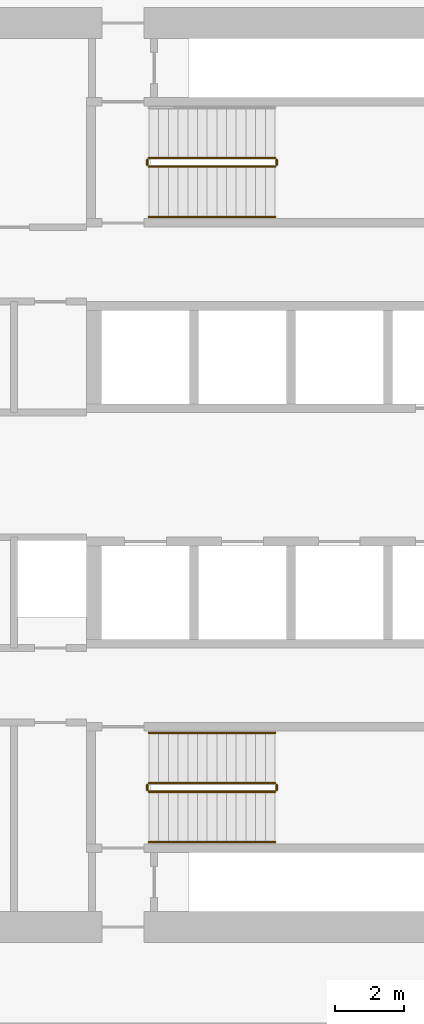
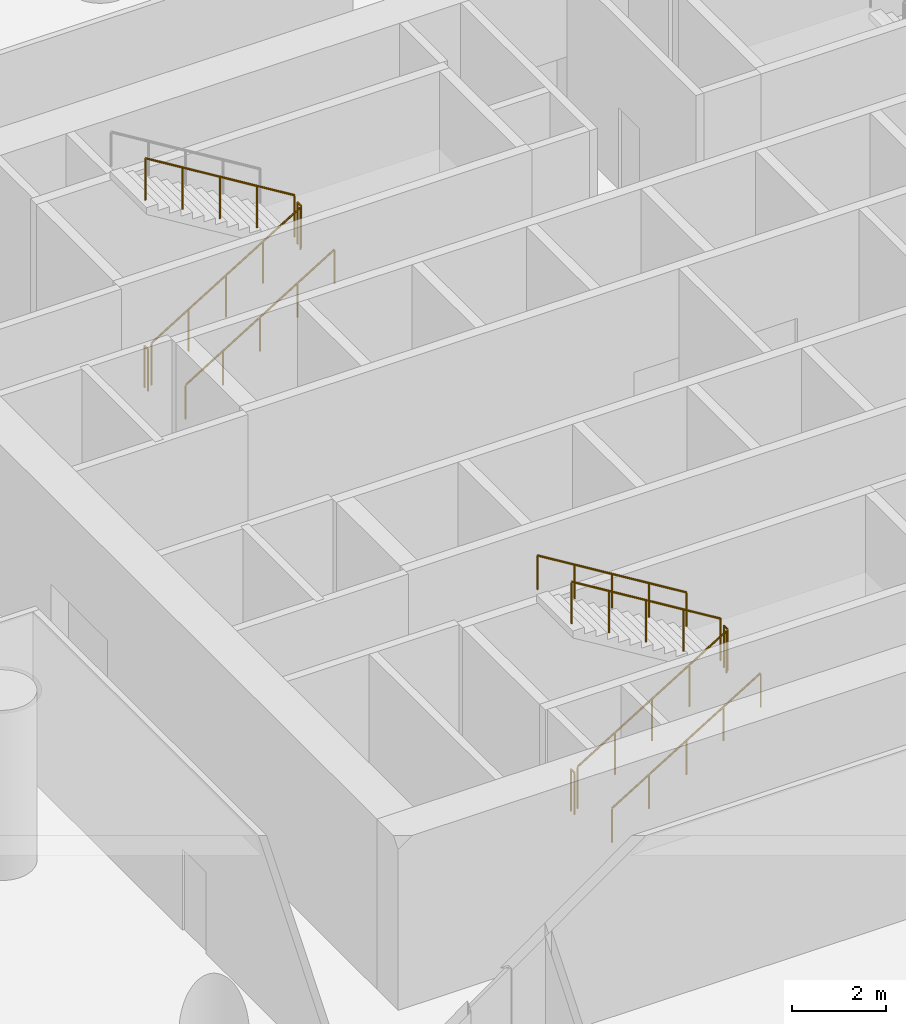
# One storey, part 33 of 42: 11 railings.
"""IFC4 building model written with IfcOpenShell, lengths in metres."""

from ifc_helpers import new_model, si_unit, direction, frame, origin, origin_2d, place, context, subcontext, project, spatial, circle, extrude, material, type_object, element, save


model = new_model("IFC4")

# Units and contexts
model_context = context("Model", 3, precision=1e-05, world=origin(), true_north=direction((0.0, 1.0)))
body_context = subcontext(model_context, "Body", "Model", "MODEL_VIEW")
ifc_project = project(units=[si_unit("LENGTHUNIT", "METRE"), si_unit("AREAUNIT", "SQUARE_METRE"), si_unit("VOLUMEUNIT", "CUBIC_METRE"), si_unit("PLANEANGLEUNIT", "RADIAN"), si_unit("MASSUNIT", "GRAM", prefix="KILO")], contexts=[model_context])

# Site, building, storey
site_placement = place(None, origin())
site = spatial("IfcSite", under=ifc_project, at=site_placement, CompositionType="ELEMENT")
building_placement = place(site_placement, origin())
building = spatial("IfcBuilding", under=site, at=building_placement, Name="Dhurran Vertical Campus", CompositionType="ELEMENT")
storey_placement = place(building_placement, frame((0.0, 0.0, 6.0)))
storey = spatial("IfcBuildingStorey", under=building, at=storey_placement, Name="L01", CompositionType="ELEMENT", Elevation=6.0)

# Railings
ifc_material_1 = material(Name="Stainless steel balustrade", Category="steel")
railing_type_1 = type_object("IfcRailingType", Name="co-RL-GUARD-1100", PredefinedType="GUARDRAIL", material=ifc_material_1)
railing_1_placement = place(storey_placement, frame((-11.10009765625, 8.89990234375, 0.17138671875)))
element("IfcRailing", 1, at=railing_1_placement, inside=storey, type_object=railing_type_1, Name="L01 ST1 stair guard 1", PredefinedType="GUARDRAIL", context=body_context, shape_type="SweptSolid", body=[
    extrude(circle(Radius=0.02392578125, at=origin_2d()), frame((0.0, 0.0, 1.076171875), z_axis=(0.852865859571, 0.0, 0.52213008492), x_axis=(0.0, 1.0, 0.0)), (0.0, 0.0, 1.0), 4.26806640625),
    extrude(circle(Radius=0.02099609375, at=origin_2d()), origin(), (0.0, 0.0, 1.0), 1.052001953125),
    extrude(circle(Radius=0.02099609375, at=origin_2d()), frame((0.91015625, 0.0, 0.55712890625)), (0.0, 0.0, 1.0), 1.052001953125),
    extrude(circle(Radius=0.02099609375, at=origin_2d()), frame((1.820068359375, 0.0, 1.1142578125)), (0.0, 0.0, 1.0), 1.052001953125),
    extrude(circle(Radius=0.02099609375, at=origin_2d()), frame((2.72998046875, 0.0, 1.67138671875)), (0.0, 0.0, 1.0), 1.052001953125),
    extrude(circle(Radius=0.02099609375, at=origin_2d()), frame((3.64013671875, 0.0, 2.228515625)), (0.0, 0.0, 1.0), 1.052001953125),
])
railing_2_placement = place(storey_placement, frame((-7.409912109375, 8.949951171875, 2.39990234375)))
element("IfcRailing", 2, at=railing_2_placement, inside=storey, type_object=railing_type_1, Name="L01 ST1 stair guard 2", PredefinedType="GUARDRAIL", context=body_context, shape_type="SweptSolid", body=[
    extrude(circle(Radius=0.02392578125, at=origin_2d()), frame((0.0, 0.0, 1.076171875), z_axis=(0.0, 1.0, 0.0), x_axis=(-1.0, 0.0, 0.0)), (0.0, 0.0, 1.0), 0.150146484375),
    extrude(circle(Radius=0.02099609375, at=origin_2d()), origin(), (0.0, 0.0, 1.0), 1.052001953125),
    extrude(circle(Radius=0.02099609375, at=origin_2d()), frame((0.0, 0.150146484375, 0.0)), (0.0, 0.0, 1.0), 1.052001953125),
])
railing_3_placement = place(storey_placement, frame((-7.4599609375, 9.14990234375, 2.571533203125)))
element("IfcRailing", 3, at=railing_3_placement, inside=storey, type_object=railing_type_1, Name="L01 ST1 stair guard 3", PredefinedType="GUARDRAIL", context=body_context, shape_type="SweptSolid", body=[
    extrude(circle(Radius=0.02392578125, at=origin_2d()), frame((0.0, 0.0, 1.076171875), z_axis=(-0.852865859571, 0.0, 0.52213008492), x_axis=(0.0, -1.0, 0.0)), (0.0, 0.0, 1.0), 4.26806640625),
    extrude(circle(Radius=0.02099609375, at=origin_2d()), origin(), (0.0, 0.0, 1.0), 1.052001953125),
    extrude(circle(Radius=0.02099609375, at=origin_2d()), frame((-0.91015625, 0.0, 0.55712890625)), (0.0, 0.0, 1.0), 1.052001953125),
    extrude(circle(Radius=0.02099609375, at=origin_2d()), frame((-1.820068359375, 0.0, 1.1142578125)), (0.0, 0.0, 1.0), 1.052001953125),
    extrude(circle(Radius=0.02099609375, at=origin_2d()), frame((-2.72998046875, 0.0, 1.67138671875)), (0.0, 0.0, 1.0), 1.052001953125),
    extrude(circle(Radius=0.02099609375, at=origin_2d()), frame((-3.64013671875, 0.0, 2.228515625)), (0.0, 0.0, 1.0), 1.052001953125),
])
railing_4_placement = place(storey_placement, frame((-11.14990234375, 8.949951171875, 0.0)))
element("IfcRailing", 4, at=railing_4_placement, inside=storey, type_object=railing_type_1, Name="L01 ST1 stair guard 4", PredefinedType="GUARDRAIL", context=body_context, shape_type="SweptSolid", body=[
    extrude(circle(Radius=0.02392578125, at=origin_2d()), frame((0.0, 0.0, 1.076171875), z_axis=(0.0, 1.0, 0.0), x_axis=(-1.0, 0.0, 0.0)), (0.0, 0.0, 1.0), 0.150146484375),
    extrude(circle(Radius=0.02099609375, at=origin_2d()), origin(), (0.0, 0.0, 1.0), 1.052001953125),
    extrude(circle(Radius=0.02099609375, at=origin_2d()), frame((0.0, 0.150146484375, 0.0)), (0.0, 0.0, 1.0), 1.052001953125),
])
railing_5_placement = place(storey_placement, frame((-11.10009765625, -9.14990234375, 0.17138671875)))
element("IfcRailing", 5, at=railing_5_placement, inside=storey, type_object=railing_type_1, Name="L01 ST3 stair guard 1", PredefinedType="GUARDRAIL", context=body_context, shape_type="SweptSolid", body=[
    extrude(circle(Radius=0.02392578125, at=origin_2d()), frame((0.0, 0.0, 1.076171875), z_axis=(0.852865859571, 0.0, 0.52213008492), x_axis=(0.0, 1.0, 0.0)), (0.0, 0.0, 1.0), 4.26806640625),
    extrude(circle(Radius=0.02099609375, at=origin_2d()), origin(), (0.0, 0.0, 1.0), 1.052001953125),
    extrude(circle(Radius=0.02099609375, at=origin_2d()), frame((0.91015625, 0.0, 0.55712890625)), (0.0, 0.0, 1.0), 1.052001953125),
    extrude(circle(Radius=0.02099609375, at=origin_2d()), frame((1.820068359375, 0.0, 1.1142578125)), (0.0, 0.0, 1.0), 1.052001953125),
    extrude(circle(Radius=0.02099609375, at=origin_2d()), frame((2.72998046875, 0.0, 1.67138671875)), (0.0, 0.0, 1.0), 1.052001953125),
    extrude(circle(Radius=0.02099609375, at=origin_2d()), frame((3.64013671875, 0.0, 2.228515625)), (0.0, 0.0, 1.0), 1.052001953125),
])
railing_6_placement = place(storey_placement, frame((-7.409912109375, -9.10009765625, 2.39990234375)))
element("IfcRailing", 6, at=railing_6_placement, inside=storey, type_object=railing_type_1, Name="L01 ST3 stair guard 2", PredefinedType="GUARDRAIL", context=body_context, shape_type="SweptSolid", body=[
    extrude(circle(Radius=0.02392578125, at=origin_2d()), frame((0.0, 0.0, 1.076171875), z_axis=(0.0, 1.0, 0.0), x_axis=(-1.0, 0.0, 0.0)), (0.0, 0.0, 1.0), 0.150146484375),
    extrude(circle(Radius=0.02099609375, at=origin_2d()), origin(), (0.0, 0.0, 1.0), 1.052001953125),
    extrude(circle(Radius=0.02099609375, at=origin_2d()), frame((0.0, 0.150146484375, 0.0)), (0.0, 0.0, 1.0), 1.052001953125),
])
railing_7_placement = place(storey_placement, frame((-7.4599609375, -8.89990234375, 2.571533203125)))
element("IfcRailing", 7, at=railing_7_placement, inside=storey, type_object=railing_type_1, Name="L01 ST3 stair guard 3", PredefinedType="GUARDRAIL", context=body_context, shape_type="SweptSolid", body=[
    extrude(circle(Radius=0.02392578125, at=origin_2d()), frame((0.0, 0.0, 1.076171875), z_axis=(-0.852865859571, 0.0, 0.52213008492), x_axis=(0.0, -1.0, 0.0)), (0.0, 0.0, 1.0), 4.26806640625),
    extrude(circle(Radius=0.02099609375, at=origin_2d()), origin(), (0.0, 0.0, 1.0), 1.052001953125),
    extrude(circle(Radius=0.02099609375, at=origin_2d()), frame((-0.91015625, 0.0, 0.55712890625)), (0.0, 0.0, 1.0), 1.052001953125),
    extrude(circle(Radius=0.02099609375, at=origin_2d()), frame((-1.820068359375, 0.0, 1.1142578125)), (0.0, 0.0, 1.0), 1.052001953125),
    extrude(circle(Radius=0.02099609375, at=origin_2d()), frame((-2.72998046875, 0.0, 1.67138671875)), (0.0, 0.0, 1.0), 1.052001953125),
    extrude(circle(Radius=0.02099609375, at=origin_2d()), frame((-3.64013671875, 0.0, 2.228515625)), (0.0, 0.0, 1.0), 1.052001953125),
])
railing_8_placement = place(storey_placement, frame((-11.14990234375, -9.10009765625, 0.0)))
element("IfcRailing", 8, at=railing_8_placement, inside=storey, type_object=railing_type_1, Name="L01 ST3 stair guard 4", PredefinedType="GUARDRAIL", context=body_context, shape_type="SweptSolid", body=[
    extrude(circle(Radius=0.02392578125, at=origin_2d()), frame((0.0, 0.0, 1.076171875), z_axis=(0.0, 1.0, 0.0), x_axis=(-1.0, 0.0, 0.0)), (0.0, 0.0, 1.0), 0.150146484375),
    extrude(circle(Radius=0.02099609375, at=origin_2d()), origin(), (0.0, 0.0, 1.0), 1.052001953125),
    extrude(circle(Radius=0.02099609375, at=origin_2d()), frame((0.0, 0.150146484375, 0.0)), (0.0, 0.0, 1.0), 1.052001953125),
])
ifc_material_2 = material(Name="Stainless steel handrail", Category="steel")
railing_type_2 = type_object("IfcRailingType", Name="co-RL-HANDRAIL-900", PredefinedType="HANDRAIL", material=ifc_material_2)
for number, where, name in (
    (9, (-11.10009765625, 7.449951171875, 0.17138671875), "L01 ST1 stair handrail 1"),
    (10, (-11.10009765625, -10.60009765625, 0.17138671875), "L01 ST3 stair handrail 1"),
):
    element("IfcRailing", number, at=place(storey_placement, frame(where)), inside=storey, type_object=railing_type_2, Name=name, PredefinedType="HANDRAIL", context=body_context, shape_type="SweptSolid", body=[
        extrude(circle(Radius=0.02392578125, at=origin_2d()), frame((0.0, 0.0, 0.8759765625), z_axis=(0.852865859571, 0.0, 0.52213008492), x_axis=(0.0, 1.0, 0.0)), (0.0, 0.0, 1.0), 4.26806640625),
        extrude(circle(Radius=0.02099609375, at=origin_2d()), origin(), (0.0, 0.0, 1.0), 0.851806640625),
        extrude(circle(Radius=0.02099609375, at=origin_2d()), frame((0.91015625, 0.0, 0.55712890625)), (0.0, 0.0, 1.0), 0.851806640625),
        extrude(circle(Radius=0.02099609375, at=origin_2d()), frame((1.820068359375, 0.0, 1.1142578125)), (0.0, 0.0, 1.0), 0.851806640625),
        extrude(circle(Radius=0.02099609375, at=origin_2d()), frame((2.72998046875, 0.0, 1.67138671875)), (0.0, 0.0, 1.0), 0.851806640625),
        extrude(circle(Radius=0.02099609375, at=origin_2d()), frame((3.64013671875, 0.0, 2.228515625)), (0.0, 0.0, 1.0), 0.851806640625),
    ])
railing_9_placement = place(storey_placement, frame((-7.4599609375, -7.449951171875, 2.571533203125)))
element("IfcRailing", 11, at=railing_9_placement, inside=storey, type_object=railing_type_2, Name="L01 ST3 stair handrail 2", PredefinedType="HANDRAIL", context=body_context, shape_type="SweptSolid", body=[
    extrude(circle(Radius=0.02392578125, at=origin_2d()), frame((0.0, 0.0, 0.8759765625), z_axis=(-0.852865859571, 0.0, 0.52213008492), x_axis=(0.0, -1.0, 0.0)), (0.0, 0.0, 1.0), 4.26806640625),
    extrude(circle(Radius=0.02099609375, at=origin_2d()), origin(), (0.0, 0.0, 1.0), 0.851806640625),
    extrude(circle(Radius=0.02099609375, at=origin_2d()), frame((-0.91015625, 0.0, 0.55712890625)), (0.0, 0.0, 1.0), 0.851806640625),
    extrude(circle(Radius=0.02099609375, at=origin_2d()), frame((-1.820068359375, 0.0, 1.1142578125)), (0.0, 0.0, 1.0), 0.851806640625),
    extrude(circle(Radius=0.02099609375, at=origin_2d()), frame((-2.72998046875, 0.0, 1.67138671875)), (0.0, 0.0, 1.0), 0.851806640625),
    extrude(circle(Radius=0.02099609375, at=origin_2d()), frame((-3.64013671875, 0.0, 2.228515625)), (0.0, 0.0, 1.0), 0.851806640625),
])

save(model, "model.ifc")
